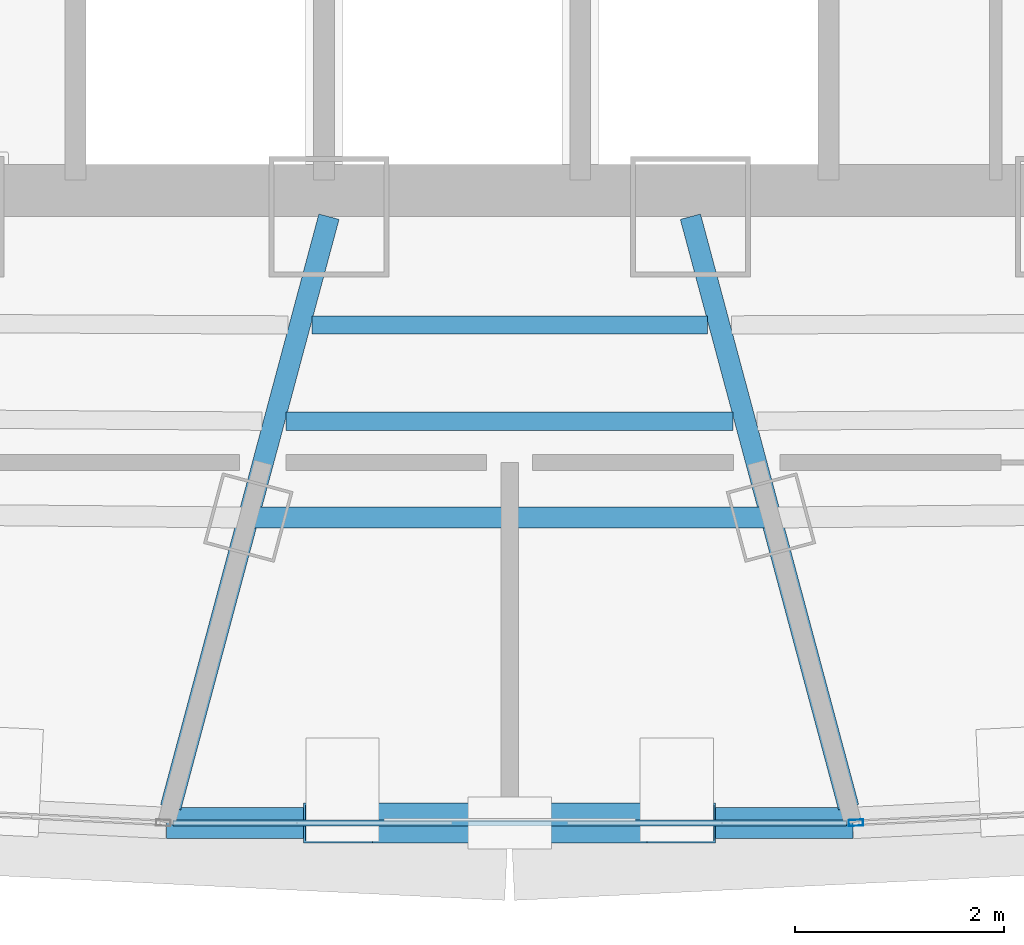
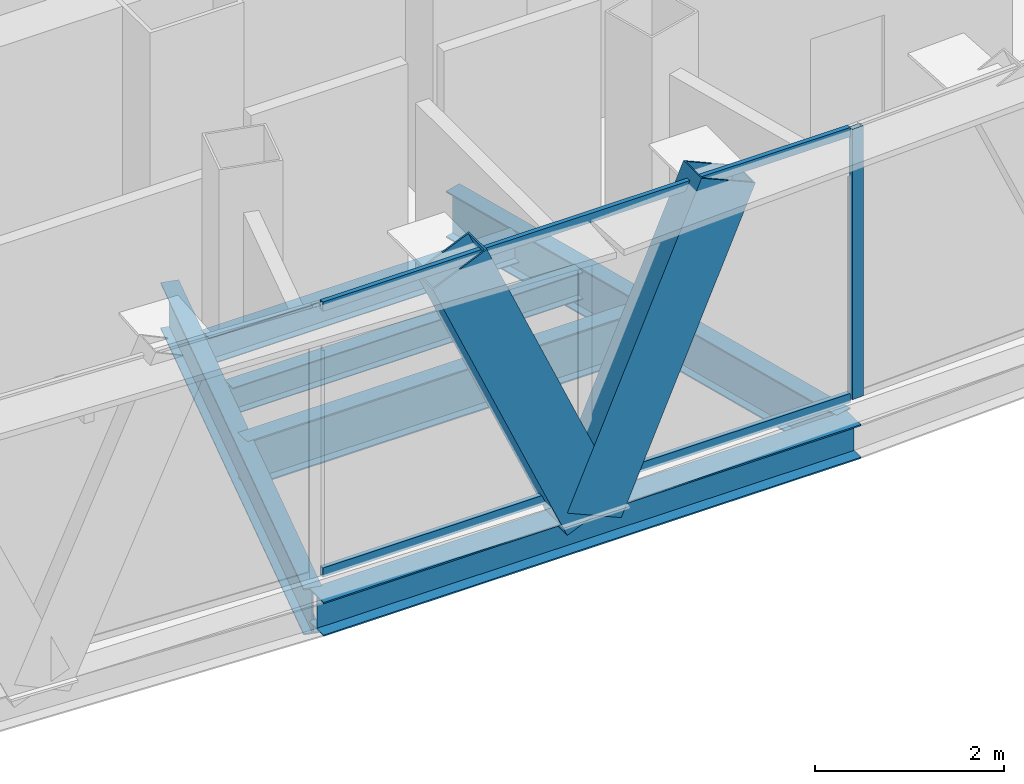
# One storey, part 5 of 27: 6 beams, 5 members, 2 elements without a shape of their own.
"""IFC4 building model written with IfcOpenShell, lengths in metres."""

from ifc_helpers import new_model, si_unit, direction, frame, origin, origin_2d, place, context, subcontext, project, spatial, hollow_rectangle, i_section, extrude, source, transform, mapped, material, layer, layer_set, material_profile, profile_set, type_object, element, aggregate, save


model = new_model("IFC4")

# Units and contexts
model_context = context("Model", 3, precision=1e-05, world=origin(), true_north=direction((0.0, 1.0)))
body_context = subcontext(model_context, "Body", "Model", "MODEL_VIEW")
ifc_project = project(units=[si_unit("LENGTHUNIT", "METRE"), si_unit("AREAUNIT", "SQUARE_METRE"), si_unit("VOLUMEUNIT", "CUBIC_METRE"), si_unit("PLANEANGLEUNIT", "RADIAN"), si_unit("MASSUNIT", "GRAM", prefix="KILO"), si_unit("THERMODYNAMICTEMPERATUREUNIT", "KELVIN"), si_unit("POWERUNIT", "WATT")], contexts=[model_context])

# Site, building, storey
site_placement = place(None, origin())
site = spatial("IfcSite", under=ifc_project, at=site_placement, CompositionType="ELEMENT")
building_placement = place(site_placement, origin())
building = spatial("IfcBuilding", under=site, at=building_placement, Name="Yunzhuo Pagoda Commons", CompositionType="ELEMENT")
storey_placement = place(building_placement, frame((0.0, 0.0, 344.260009765625)))
storey = spatial("IfcBuildingStorey", under=building, at=storey_placement, Name="L86", CompositionType="ELEMENT", Elevation=344.260009765625)

# Beams
ifc_material_1 = material(Name="Structural steel Q355B", Category="steel")
ifc_material_profile_1 = material_profile(ifc_material_1, i_section(OverallWidth=0.199951171875, OverallDepth=0.60009765625, WebThickness=0.010986328125, FlangeThickness=0.01708984375, at=origin_2d()), Name="Structural steel Q355B")
ifc_profile_set_1 = profile_set([ifc_material_profile_1], Name="Structural steel Q355B")
beam_type_1 = type_object("IfcBeamType", Name="B-RG3 Beam HN 600x200x11x17", PredefinedType="BEAM", material=ifc_profile_set_1)
shared_shape_1 = source(origin(), body_context, "Body", "SweptSolid", [
    extrude(i_section(OverallWidth=0.199951171875, OverallDepth=0.60009765625, WebThickness=0.010986328125, FlangeThickness=0.01708984375, at=origin_2d()), origin(), (0.0, 0.0, 1.0), 4.99853515625),
])
beam_1_placement = place(storey_placement, frame((45.500732421875, 24.372802734375, -0.56005859375), z_axis=(1.0, 0.0, 0.0), x_axis=(0.0, 1.0, 0.0)))
element("IfcBeam", 1, at=beam_1_placement, inside=storey, type_object=beam_type_1, Name="L86 column-ring beam 2", PredefinedType="BEAM", context=body_context, shape_type="MappedRepresentation", body=[
    mapped(shared_shape_1, transform((0.0, 0.0, 0.0), scale=1.0)),
])
ifc_material_profile_2 = material_profile(ifc_material_1, i_section(OverallWidth=0.175048828125, OverallDepth=0.35009765625, WebThickness=0.007080078125, FlangeThickness=0.010986328125, at=origin_2d()), Name="Structural steel Q355B")
ifc_profile_set_2 = profile_set([ifc_material_profile_2], Name="Structural steel Q355B")
beam_type_2 = type_object("IfcBeamType", Name="B-JS2 Joist HN 350x175x7x11", PredefinedType="JOIST", material=ifc_profile_set_2)
shared_shape_2 = source(origin(), body_context, "Body", "SweptSolid", [
    extrude(i_section(OverallWidth=0.175048828125, OverallDepth=0.35009765625, WebThickness=0.007080078125, FlangeThickness=0.010986328125, at=origin_2d()), origin(), (0.0, 0.0, 1.0), 3.78173828125),
])
beam_2_placement = place(storey_placement, frame((46.109130859375, 26.214111328125, -0.43505859375), z_axis=(1.0, 0.0, 0.0), x_axis=(0.0, 1.0, 0.0)))
element("IfcBeam", 2, at=beam_2_placement, inside=storey, type_object=beam_type_2, Name="L86 composite ring joist 1.2", PredefinedType="JOIST", context=body_context, shape_type="MappedRepresentation", body=[
    mapped(shared_shape_2, transform((0.0, 0.0, 0.0), scale=1.0)),
])
shared_shape_3 = source(origin(), body_context, "Body", "SweptSolid", [
    extrude(i_section(OverallWidth=0.175048828125, OverallDepth=0.35009765625, WebThickness=0.007080078125, FlangeThickness=0.010986328125, at=origin_2d()), origin(), (0.0, 0.0, 1.0), 4.27490234375),
])
beam_3_placement = place(storey_placement, frame((45.862548828125, 25.29345703125, -0.43505859375), z_axis=(1.0, 0.0, 0.0), x_axis=(0.0, 1.0, 0.0)))
element("IfcBeam", 3, at=beam_3_placement, inside=storey, type_object=beam_type_2, Name="L86 composite ring joist 2.2", PredefinedType="JOIST", context=body_context, shape_type="MappedRepresentation", body=[
    mapped(shared_shape_3, transform((0.0, 0.0, 0.0), scale=1.0)),
])
shared_shape_4 = source(origin(), body_context, "Body", "SweptSolid", [
    extrude(i_section(OverallWidth=0.199951171875, OverallDepth=0.60009765625, WebThickness=0.010986328125, FlangeThickness=0.01708984375, at=origin_2d()), origin(), (0.0, 0.0, 1.0), 5.84716796875),
])
for number, where, z_axis, x_axis, name in (
    (4, (44.75830078125, 21.60205078125, -0.56005859375), (0.258868261123, 0.965912637552, 0.0), (-0.965912637552, 0.258868261123, 0.0), "L86 radial floor girder F1C2"),
    (5, (51.24169921875, 21.60205078125, -0.56005859375), (-0.258790348668, 0.965933515019, 0.0), (-0.965933515019, -0.258790348668, 0.0), "L86 radial floor girder F1C3"),
):
    element("IfcBeam", number, at=place(storey_placement, frame(where, z_axis=z_axis, x_axis=x_axis)), inside=storey, type_object=beam_type_1, Name=name, PredefinedType="BEAM", context=body_context, shape_type="MappedRepresentation", body=[
        mapped(shared_shape_4, transform((0.0, 0.0, 0.0), scale=1.0)),
    ])
ifc_material_profile_3 = material_profile(ifc_material_1, i_section(OverallWidth=0.300048828125, OverallDepth=0.43994140625, WebThickness=0.010986328125, FlangeThickness=0.01806640625, at=origin_2d()), Name="Structural steel Q355B")
ifc_profile_set_3 = profile_set([ifc_material_profile_3], Name="Structural steel Q355B")
beam_type_3 = type_object("IfcBeamType", Name="B-SP2 Beam HM 440x300x11x18", PredefinedType="BEAM", material=ifc_profile_set_3)
shared_shape_5 = source(origin(), body_context, "Body", "SweptSolid", [
    extrude(i_section(OverallWidth=0.300048828125, OverallDepth=0.43994140625, WebThickness=0.010986328125, FlangeThickness=0.01806640625, at=origin_2d()), origin(), (0.0, 0.0, 1.0), 6.5634765625),
])
beam_4_placement = place(storey_placement, frame((44.71826171875, 21.452392578125, -0.47998046875), z_axis=(1.0, 0.0, 0.0), x_axis=(0.0, 1.0, 0.0)))
element("IfcBeam", 6, at=beam_4_placement, inside=storey, type_object=beam_type_3, Name="L86 facade edge spandrel beam F1.2", PredefinedType="BEAM", context=body_context, shape_type="MappedRepresentation", body=[
    mapped(shared_shape_5, transform((0.0, 0.0, 0.0), scale=1.0)),
])

# Members
ifc_material_profile_4 = material_profile(ifc_material_1, hollow_rectangle(XDim=0.3798828125, YDim=0.719970703125, WallThickness=0.02001953125, at=origin_2d()), Name="Structural steel Q355B")
ifc_profile_set_4 = profile_set([ifc_material_profile_4], Name="Structural steel Q355B")
member_type_1 = type_object("IfcMemberType", Name="M-DL3 Brace BOX 720x380x20", PredefinedType="BRACE", material=ifc_profile_set_4)
shared_shape_6 = source(origin(), body_context, "Body", "SweptSolid", [
    extrude(hollow_rectangle(XDim=0.3798828125, YDim=0.719970703125, WallThickness=0.02001953125, at=origin_2d()), origin(), (0.0, 0.0, 1.0), 4.09326171875),
])
for number, where, z_axis, x_axis, name in (
    (7, (48.0, 21.452392578125, -0.260009765625), (-0.400868895467, 0.0, 0.91613543139), (0.0, -1.0, 0.0), "L86 facade diamond brace F1.2L"),
    (8, (48.0, 21.452392578125, -0.260009765625), (0.400868895467, 0.0, 0.91613543139), (0.0, 1.0, 0.0), "L86 facade diamond brace F1.2R"),
):
    element("IfcMember", number, at=place(storey_placement, frame(where, z_axis=z_axis, x_axis=x_axis)), inside=storey, type_object=member_type_1, Name=name, PredefinedType="BRACE", context=body_context, shape_type="MappedRepresentation", body=[
        mapped(shared_shape_6, transform((0.0, 0.0, 0.0), scale=1.0)),
    ])

# Curtain wall, member
ifc_material_2 = material(Name="Anodized aluminium 6063-T6", Category="aluminium")
ifc_layer = layer(ifc_material_2, 0.139892578125)
ifc_layer_set = layer_set([ifc_layer], Name="Anodized aluminium 6063-T6")
curtain_wall_type = type_object("IfcCurtainWallType", Name="CW-HI High-Zone Ribbon Curtain Wall", PredefinedType="NOTDEFINED", material=ifc_layer_set)
curtain_wall_1_placement = place(storey_placement, origin())
curtain_wall_1 = element("IfcCurtainWall", 9, at=curtain_wall_1_placement, inside=storey, type_object=curtain_wall_type, Name="L86 curtain wall CW-L86-F1B4", PredefinedType="NOTDEFINED")
ifc_material_profile_5 = material_profile(ifc_material_2, hollow_rectangle(XDim=0.06005859375, YDim=0.139892578125, WallThickness=0.00341796875, at=origin_2d()), Name="Anodized aluminium 6063-T6")
ifc_profile_set_5 = profile_set([ifc_material_profile_5], Name="Anodized aluminium 6063-T6")
member_type_2 = type_object("IfcMemberType", Name="CW-HI-M Mullion RHS 140x60x3.5", PredefinedType="MULLION", material=ifc_profile_set_5)
shared_shape_7 = source(origin(), body_context, "Body", "SweptSolid", [
    extrude(hollow_rectangle(XDim=0.06005859375, YDim=0.139892578125, WallThickness=0.00341796875, at=origin_2d()), origin(), (0.0, 0.0, 1.0), 3.489990234375),
])
member_1_placement = place(storey_placement, frame((51.311767578125, 21.453857421875, 0.0), z_axis=(0.0, 0.0, 1.0), x_axis=(-0.048905572213, 0.998803406585, 0.0)))
member_1 = element("IfcMember", 10, at=member_1_placement, type_object=member_type_2, Name="CW mullion 1", PredefinedType="MULLION", context=body_context, shape_type="MappedRepresentation", body=[
    mapped(shared_shape_7, transform((0.0, 0.0, 0.0), scale=1.0)),
])
aggregate(curtain_wall_1, [member_1])

# Curtain wall, members
curtain_wall_2_placement = place(storey_placement, origin())
curtain_wall_2 = element("IfcCurtainWall", 11, at=curtain_wall_2_placement, inside=storey, type_object=curtain_wall_type, Name="L86 curtain wall CW-L86-F1B3", PredefinedType="NOTDEFINED")
ifc_material_profile_6 = material_profile(ifc_material_2, hollow_rectangle(XDim=0.054931640625, YDim=0.1201171875, WallThickness=0.00341796875, at=origin_2d()), Name="Anodized aluminium 6063-T6")
ifc_profile_set_6 = profile_set([ifc_material_profile_6], Name="Anodized aluminium 6063-T6")
member_type_3 = type_object("IfcMemberType", Name="CW-HI-T Transom RHS 120x55x3.5", PredefinedType="USERDEFINED", material=ifc_profile_set_6)
shared_shape_8 = source(origin(), body_context, "Body", "SweptSolid", [
    extrude(hollow_rectangle(XDim=0.054931640625, YDim=0.1201171875, WallThickness=0.00341796875, at=origin_2d()), origin(), (0.0, 0.0, 1.0), 6.443359375),
])
member_2_placement = place(storey_placement, frame((44.7783203125, 21.452392578125, 0.027587890625), z_axis=(1.0, 0.0, 0.0), x_axis=(0.0, 1.0, 0.0)))
member_2 = element("IfcMember", 12, at=member_2_placement, type_object=member_type_3, Name="CW transom 1.1", ObjectType="TRANSOM", PredefinedType="USERDEFINED", context=body_context, shape_type="MappedRepresentation", body=[
    mapped(shared_shape_8, transform((0.0, 0.0, 0.0), scale=1.0)),
])
member_3_placement = place(storey_placement, frame((44.7783203125, 21.452392578125, 3.46240234375), z_axis=(1.0, 0.0, 0.0), x_axis=(0.0, 1.0, 0.0)))
member_3 = element("IfcMember", 13, at=member_3_placement, type_object=member_type_3, Name="CW transom 1.2", ObjectType="TRANSOM", PredefinedType="USERDEFINED", context=body_context, shape_type="MappedRepresentation", body=[
    mapped(shared_shape_8, transform((0.0, 0.0, 0.0), scale=1.0)),
])
aggregate(curtain_wall_2, [member_2, member_3])

save(model, "model.ifc")
